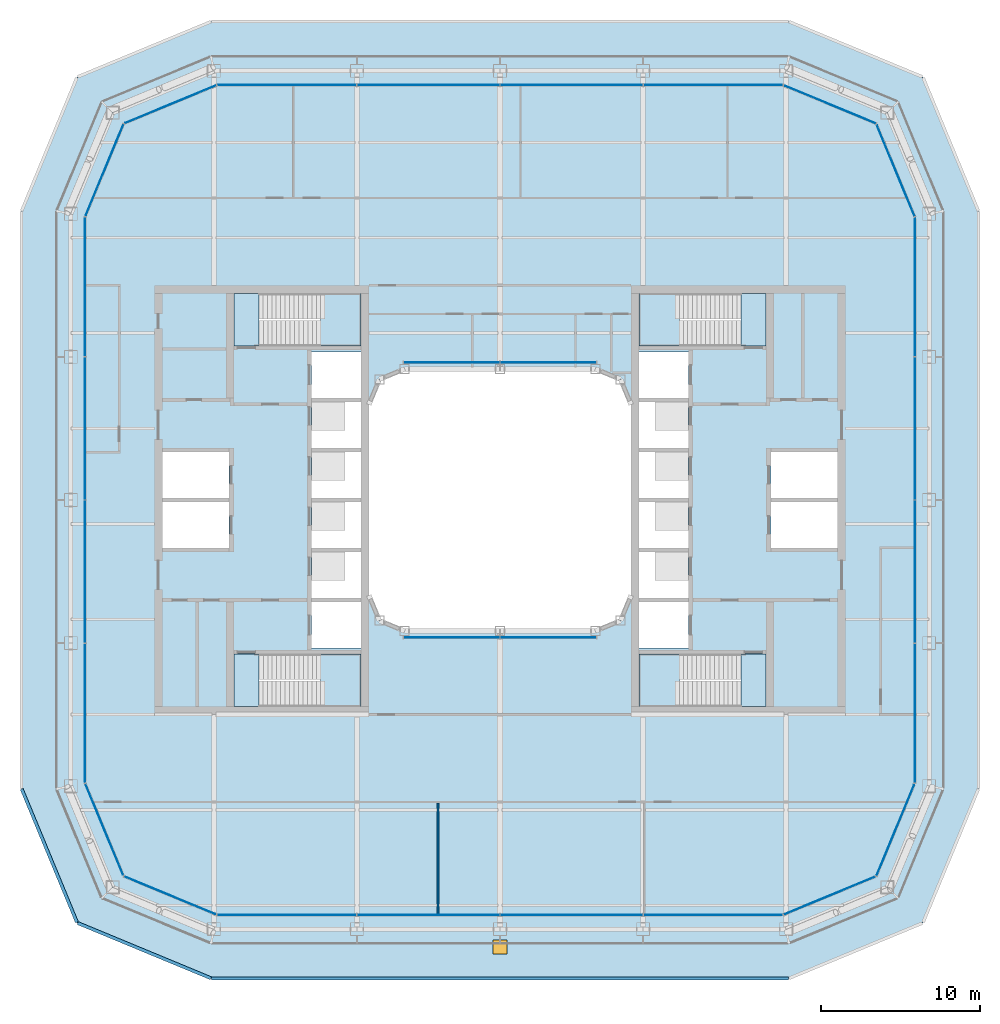
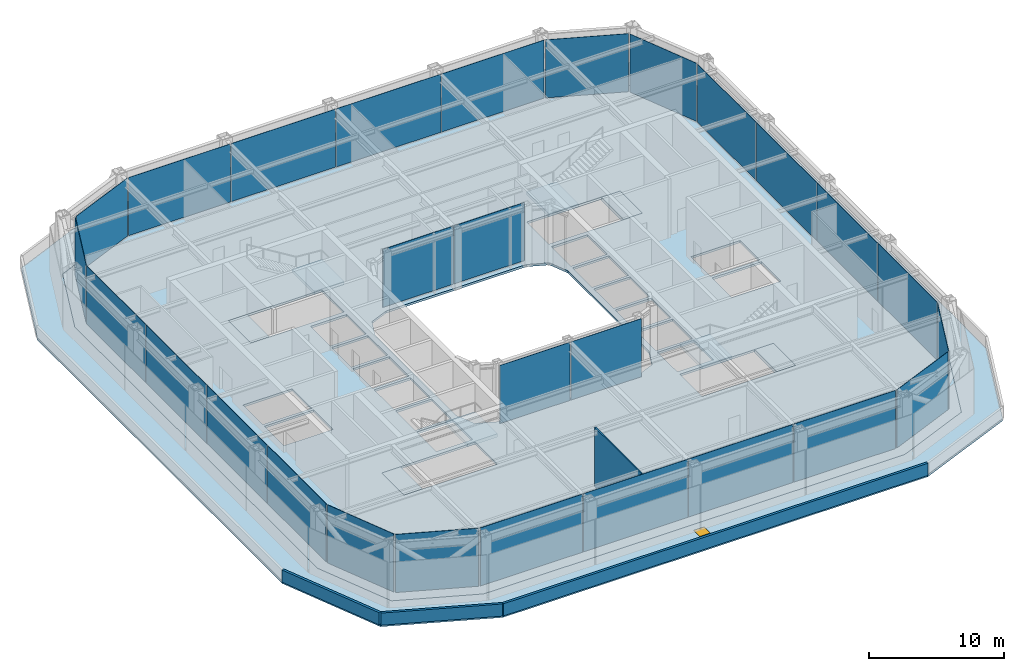
# One storey, part 10 of 19: 28 plates, 10 slabs, 4 walls, 1 window, 1 opening, 18 elements without a shape of their own.
"""IFC4 building model written with IfcOpenShell, lengths in metres."""

from ifc_helpers import new_model, si_unit, direction, frame, frame_2d, origin, origin_2d, place, context, subcontext, project, spatial, polyline, rectangle, outline, extrude, material, layer, layer_set, type_object, element, fill, aggregate, save


model = new_model("IFC4")

# Units and contexts
model_context = context("Model", 3, precision=1e-05, world=origin(), true_north=direction((0.0, 1.0)))
body_context = subcontext(model_context, "Body", "Model", "MODEL_VIEW")
ifc_project = project(units=[si_unit("LENGTHUNIT", "METRE"), si_unit("AREAUNIT", "SQUARE_METRE"), si_unit("VOLUMEUNIT", "CUBIC_METRE"), si_unit("PLANEANGLEUNIT", "RADIAN"), si_unit("MASSUNIT", "GRAM", prefix="KILO")], contexts=[model_context])

# Site, building, storey
site_placement = place(None, origin())
site = spatial("IfcSite", under=ifc_project, at=site_placement, CompositionType="ELEMENT")
building_placement = place(site_placement, origin())
building = spatial("IfcBuilding", under=site, at=building_placement, Name="Siwar Civic Tower", CompositionType="ELEMENT")
storey_placement = place(building_placement, frame((0.0, 0.0, 187.199951171875)))
storey = spatial("IfcBuildingStorey", under=building, at=storey_placement, Name="L40", CompositionType="ELEMENT", Elevation=187.199951171875)

# Stair, slabs
ifc_material_1 = material(Name="Concrete C40/50", Category="concrete")
stair_type = type_object("IfcStairType", Name="CORE-STAIR", PredefinedType="TWO_STRAIGHT_RUN_STAIR", material=ifc_material_1)
stair_1_placement = place(storey_placement, origin())
stair_1 = element("IfcStair", 1, at=stair_1_placement, inside=storey, type_object=stair_type, Name="Exit stair ST1", PredefinedType="TWO_STRAIGHT_RUN_STAIR")
ifc_material_2 = material(Name="Concrete C40/50", Category="concrete")
ifc_layer_1 = layer(ifc_material_2, 0.300048828125)
ifc_layer_set_1 = layer_set([ifc_layer_1], Name="Concrete C40/50")
slab_type_1 = type_object("IfcSlabType", Name="CORE-STAIR-LANDING", PredefinedType="LANDING", material=ifc_layer_set_1)
slab_1_placement = place(storey_placement, frame((0.0, 0.0, -0.300048828125)))
slab_1 = element("IfcSlab", 2, at=slab_1_placement, type_object=slab_type_1, Name="ST1 landing 1", PredefinedType="LANDING", context=body_context, shape_type="SweptSolid", body=[
    extrude(outline(polyline([(-15.14990234375, 13.0), (-16.75, 13.0), (-16.75, 9.699951171875), (-15.14990234375, 9.699951171875), (-15.14990234375, 13.0)])), origin(), (0.0, 0.0, 1.0), 0.300048828125),
])
slab_2_placement = place(storey_placement, frame((0.0, 0.0, 2.449951171875)))
slab_2 = element("IfcSlab", 3, at=slab_2_placement, type_object=slab_type_1, Name="ST1 landing 2", PredefinedType="LANDING", context=body_context, shape_type="SweptSolid", body=[
    extrude(outline(polyline([(-8.75, 13.0), (-11.300048828125, 13.0), (-11.300048828125, 9.699951171875), (-8.75, 9.699951171875), (-8.75, 13.0)])), origin(), (0.0, 0.0, 1.0), 0.300048828125),
])
aggregate(stair_1, [slab_1, slab_2])

stair_2_placement = place(storey_placement, origin())
stair_2 = element("IfcStair", 4, at=stair_2_placement, inside=storey, type_object=stair_type, Name="Exit stair ST2", PredefinedType="TWO_STRAIGHT_RUN_STAIR")
slab_3_placement = place(storey_placement, frame((0.0, 0.0, -0.300048828125)))
slab_3 = element("IfcSlab", 5, at=slab_3_placement, type_object=slab_type_1, Name="ST2 landing 1", PredefinedType="LANDING", context=body_context, shape_type="SweptSolid", body=[
    extrude(outline(polyline([(-15.14990234375, -9.699951171875), (-16.75, -9.699951171875), (-16.75, -13.0), (-15.14990234375, -13.0), (-15.14990234375, -9.699951171875)])), origin(), (0.0, 0.0, 1.0), 0.300048828125),
])
slab_4_placement = place(storey_placement, frame((0.0, 0.0, 2.449951171875)))
slab_4 = element("IfcSlab", 6, at=slab_4_placement, type_object=slab_type_1, Name="ST2 landing 2", PredefinedType="LANDING", context=body_context, shape_type="SweptSolid", body=[
    extrude(outline(polyline([(-8.75, -9.699951171875), (-11.300048828125, -9.699951171875), (-11.300048828125, -13.0), (-8.75, -13.0), (-8.75, -9.699951171875)])), origin(), (0.0, 0.0, 1.0), 0.300048828125),
])
aggregate(stair_2, [slab_3, slab_4])

stair_3_placement = place(storey_placement, origin())
stair_3 = element("IfcStair", 7, at=stair_3_placement, inside=storey, type_object=stair_type, Name="Exit stair ST3", PredefinedType="TWO_STRAIGHT_RUN_STAIR")
slab_5_placement = place(storey_placement, frame((0.0, 0.0, -0.300048828125)))
slab_5 = element("IfcSlab", 8, at=slab_5_placement, type_object=slab_type_1, Name="ST3 landing 1", PredefinedType="LANDING", context=body_context, shape_type="SweptSolid", body=[
    extrude(outline(polyline([(15.14990234375, 9.699951171875), (16.75, 9.699951171875), (16.75, 13.0), (15.14990234375, 13.0), (15.14990234375, 9.699951171875)])), origin(), (0.0, 0.0, 1.0), 0.300048828125),
])
slab_6_placement = place(storey_placement, frame((0.0, 0.0, 2.449951171875)))
slab_6 = element("IfcSlab", 9, at=slab_6_placement, type_object=slab_type_1, Name="ST3 landing 2", PredefinedType="LANDING", context=body_context, shape_type="SweptSolid", body=[
    extrude(outline(polyline([(8.75, 9.699951171875), (11.300048828125, 9.699951171875), (11.300048828125, 13.0), (8.75, 13.0), (8.75, 9.699951171875)])), origin(), (0.0, 0.0, 1.0), 0.300048828125),
])
aggregate(stair_3, [slab_5, slab_6])

stair_4_placement = place(storey_placement, origin())
stair_4 = element("IfcStair", 10, at=stair_4_placement, inside=storey, type_object=stair_type, Name="Exit stair ST4", PredefinedType="TWO_STRAIGHT_RUN_STAIR")
slab_7_placement = place(storey_placement, frame((0.0, 0.0, -0.300048828125)))
slab_7 = element("IfcSlab", 11, at=slab_7_placement, type_object=slab_type_1, Name="ST4 landing 1", PredefinedType="LANDING", context=body_context, shape_type="SweptSolid", body=[
    extrude(outline(polyline([(15.14990234375, -13.0), (16.75, -13.0), (16.75, -9.699951171875), (15.14990234375, -9.699951171875), (15.14990234375, -13.0)])), origin(), (0.0, 0.0, 1.0), 0.300048828125),
])
slab_8_placement = place(storey_placement, frame((0.0, 0.0, 2.449951171875)))
slab_8 = element("IfcSlab", 12, at=slab_8_placement, type_object=slab_type_1, Name="ST4 landing 2", PredefinedType="LANDING", context=body_context, shape_type="SweptSolid", body=[
    extrude(outline(polyline([(8.75, -13.0), (11.300048828125, -13.0), (11.300048828125, -9.699951171875), (8.75, -9.699951171875), (8.75, -13.0)])), origin(), (0.0, 0.0, 1.0), 0.300048828125),
])
aggregate(stair_4, [slab_7, slab_8])

# Curtain wall, plates
ifc_material_3 = material(Name="Aluminium and glass", Category="aluminium")
ifc_layer_2 = layer(ifc_material_3, 0.179931640625)
ifc_layer_set_2 = layer_set([ifc_layer_2], Name="Aluminium and glass")
curtain_wall_type_1 = type_object("IfcCurtainWallType", Name="ENV-CW-C", PredefinedType="NOTDEFINED", material=ifc_layer_set_2)
curtain_wall_1_placement = place(storey_placement, origin())
curtain_wall_1 = element("IfcCurtainWall", 13, at=curtain_wall_1_placement, inside=storey, type_object=curtain_wall_type_1, Name="Curtain wall C S", PredefinedType="NOTDEFINED")
ifc_material_4 = material(Name="Glass clear laminated", Category="glass")
ifc_layer_3 = layer(ifc_material_4, 0.031982421875)
ifc_layer_set_3 = layer_set([ifc_layer_3], Name="Glass clear laminated")
plate_type_1 = type_object("IfcPlateType", Name="ENV-PANEL-C", PredefinedType="CURTAIN_PANEL", material=ifc_layer_set_3)
plate_1_placement = place(storey_placement, frame((-13.410400390625, -26.10009765625, 0.10009765625), z_axis=(0.0, 0.0, 1.0), x_axis=(1.0, 0.0, 0.0)))
plate_1 = element("IfcPlate", 14, at=plate_1_placement, type_object=plate_type_1, Name="Curtain panel C S 1", PredefinedType="CURTAIN_PANEL", context=body_context, shape_type="SweptSolid", body=[
    extrude(rectangle(XDim=8.760986328125, YDim=0.031982421875, at=origin_2d()), origin(), (0.0, 0.0, 1.0), 5.25),
])
plate_2_placement = place(storey_placement, frame((-4.5, -26.10009765625, 0.10009765625), z_axis=(0.0, 0.0, 1.0), x_axis=(1.0, 0.0, 0.0)))
plate_2 = element("IfcPlate", 15, at=plate_2_placement, type_object=plate_type_1, Name="Curtain panel C S 2", PredefinedType="CURTAIN_PANEL", context=body_context, shape_type="SweptSolid", body=[
    extrude(rectangle(XDim=8.93994140625, YDim=0.031982421875, at=origin_2d()), origin(), (0.0, 0.0, 1.0), 5.25),
])
plate_3_placement = place(storey_placement, frame((4.5, -26.10009765625, 0.10009765625), z_axis=(0.0, 0.0, 1.0), x_axis=(1.0, 0.0, 0.0)))
plate_3 = element("IfcPlate", 16, at=plate_3_placement, type_object=plate_type_1, Name="Curtain panel C S 3", PredefinedType="CURTAIN_PANEL", context=body_context, shape_type="SweptSolid", body=[
    extrude(rectangle(XDim=8.93994140625, YDim=0.031982421875, at=origin_2d()), origin(), (0.0, 0.0, 1.0), 5.25),
])
plate_4_placement = place(storey_placement, frame((13.373046875, -26.10009765625, 0.10009765625), z_axis=(0.0, 0.0, 1.0), x_axis=(1.0, 0.0, 0.0)))
plate_4 = element("IfcPlate", 17, at=plate_4_placement, type_object=plate_type_1, Name="Curtain panel C S 4", PredefinedType="CURTAIN_PANEL", context=body_context, shape_type="SweptSolid", body=[
    extrude(rectangle(XDim=8.68603515625, YDim=0.031982421875, at=origin_2d()), origin(), (0.0, 0.0, 1.0), 5.25),
])
aggregate(curtain_wall_1, [plate_1, plate_2, plate_3, plate_4])

curtain_wall_2_placement = place(storey_placement, origin())
curtain_wall_2 = element("IfcCurtainWall", 18, at=curtain_wall_2_placement, inside=storey, type_object=curtain_wall_type_1, Name="Curtain wall C E", PredefinedType="NOTDEFINED")
plate_5_placement = place(storey_placement, frame((26.10009765625, -13.410400390625, 0.10009765625), z_axis=(0.0, 0.0, 1.0), x_axis=(0.0, 1.0, 0.0)))
plate_5 = element("IfcPlate", 19, at=plate_5_placement, type_object=plate_type_1, Name="Curtain panel C E 1", PredefinedType="CURTAIN_PANEL", context=body_context, shape_type="SweptSolid", body=[
    extrude(rectangle(XDim=8.760986328125, YDim=0.031982421875, at=origin_2d()), origin(), (0.0, 0.0, 1.0), 5.25),
])
plate_6_placement = place(storey_placement, frame((26.10009765625, -4.5, 0.10009765625), z_axis=(0.0, 0.0, 1.0), x_axis=(0.0, 1.0, 0.0)))
plate_6 = element("IfcPlate", 20, at=plate_6_placement, type_object=plate_type_1, Name="Curtain panel C E 2", PredefinedType="CURTAIN_PANEL", context=body_context, shape_type="SweptSolid", body=[
    extrude(rectangle(XDim=8.93994140625, YDim=0.031982421875, at=origin_2d()), origin(), (0.0, 0.0, 1.0), 5.25),
])
plate_7_placement = place(storey_placement, frame((26.10009765625, 4.5, 0.10009765625), z_axis=(0.0, 0.0, 1.0), x_axis=(0.0, 1.0, 0.0)))
plate_7 = element("IfcPlate", 21, at=plate_7_placement, type_object=plate_type_1, Name="Curtain panel C E 3", PredefinedType="CURTAIN_PANEL", context=body_context, shape_type="SweptSolid", body=[
    extrude(rectangle(XDim=8.93994140625, YDim=0.031982421875, at=origin_2d()), origin(), (0.0, 0.0, 1.0), 5.25),
])
plate_8_placement = place(storey_placement, frame((26.10009765625, 13.373046875, 0.10009765625), z_axis=(0.0, 0.0, 1.0), x_axis=(0.0, 1.0, 0.0)))
plate_8 = element("IfcPlate", 22, at=plate_8_placement, type_object=plate_type_1, Name="Curtain panel C E 4", PredefinedType="CURTAIN_PANEL", context=body_context, shape_type="SweptSolid", body=[
    extrude(rectangle(XDim=8.68603515625, YDim=0.031982421875, at=origin_2d()), origin(), (0.0, 0.0, 1.0), 5.25),
])
aggregate(curtain_wall_2, [plate_5, plate_6, plate_7, plate_8])

curtain_wall_3_placement = place(storey_placement, origin())
curtain_wall_3 = element("IfcCurtainWall", 23, at=curtain_wall_3_placement, inside=storey, type_object=curtain_wall_type_1, Name="Curtain wall C N", PredefinedType="NOTDEFINED")
plate_9_placement = place(storey_placement, frame((13.410400390625, 26.10009765625, 0.10009765625), z_axis=(0.0, 0.0, 1.0), x_axis=(-1.0, 0.0, 0.0)))
plate_9 = element("IfcPlate", 24, at=plate_9_placement, type_object=plate_type_1, Name="Curtain panel C N 1", PredefinedType="CURTAIN_PANEL", context=body_context, shape_type="SweptSolid", body=[
    extrude(rectangle(XDim=8.760986328125, YDim=0.031982421875, at=origin_2d()), origin(), (0.0, 0.0, 1.0), 5.25),
])
plate_10_placement = place(storey_placement, frame((4.5, 26.10009765625, 0.10009765625), z_axis=(0.0, 0.0, 1.0), x_axis=(-1.0, 0.0, 0.0)))
plate_10 = element("IfcPlate", 25, at=plate_10_placement, type_object=plate_type_1, Name="Curtain panel C N 2", PredefinedType="CURTAIN_PANEL", context=body_context, shape_type="SweptSolid", body=[
    extrude(rectangle(XDim=8.93994140625, YDim=0.031982421875, at=origin_2d()), origin(), (0.0, 0.0, 1.0), 5.25),
])
plate_11_placement = place(storey_placement, frame((-4.5, 26.10009765625, 0.10009765625), z_axis=(0.0, 0.0, 1.0), x_axis=(-1.0, 0.0, 0.0)))
plate_11 = element("IfcPlate", 26, at=plate_11_placement, type_object=plate_type_1, Name="Curtain panel C N 3", PredefinedType="CURTAIN_PANEL", context=body_context, shape_type="SweptSolid", body=[
    extrude(rectangle(XDim=8.93994140625, YDim=0.031982421875, at=origin_2d()), origin(), (0.0, 0.0, 1.0), 5.25),
])
plate_12_placement = place(storey_placement, frame((-13.373046875, 26.10009765625, 0.10009765625), z_axis=(0.0, 0.0, 1.0), x_axis=(-1.0, 0.0, 0.0)))
plate_12 = element("IfcPlate", 27, at=plate_12_placement, type_object=plate_type_1, Name="Curtain panel C N 4", PredefinedType="CURTAIN_PANEL", context=body_context, shape_type="SweptSolid", body=[
    extrude(rectangle(XDim=8.68603515625, YDim=0.031982421875, at=origin_2d()), origin(), (0.0, 0.0, 1.0), 5.25),
])
aggregate(curtain_wall_3, [plate_9, plate_10, plate_11, plate_12])

curtain_wall_4_placement = place(storey_placement, origin())
curtain_wall_4 = element("IfcCurtainWall", 28, at=curtain_wall_4_placement, inside=storey, type_object=curtain_wall_type_1, Name="Curtain wall C W", PredefinedType="NOTDEFINED")
plate_13_placement = place(storey_placement, frame((-26.10009765625, 13.410400390625, 0.10009765625), z_axis=(0.0, 0.0, 1.0), x_axis=(0.0, -1.0, 0.0)))
plate_13 = element("IfcPlate", 29, at=plate_13_placement, type_object=plate_type_1, Name="Curtain panel C W 1", PredefinedType="CURTAIN_PANEL", context=body_context, shape_type="SweptSolid", body=[
    extrude(rectangle(XDim=8.760986328125, YDim=0.031982421875, at=origin_2d()), origin(), (0.0, 0.0, 1.0), 5.25),
])
plate_14_placement = place(storey_placement, frame((-26.10009765625, 4.5, 0.10009765625), z_axis=(0.0, 0.0, 1.0), x_axis=(0.0, -1.0, 0.0)))
plate_14 = element("IfcPlate", 30, at=plate_14_placement, type_object=plate_type_1, Name="Curtain panel C W 2", PredefinedType="CURTAIN_PANEL", context=body_context, shape_type="SweptSolid", body=[
    extrude(rectangle(XDim=8.93994140625, YDim=0.031982421875, at=origin_2d()), origin(), (0.0, 0.0, 1.0), 5.25),
])
plate_15_placement = place(storey_placement, frame((-26.10009765625, -4.5, 0.10009765625), z_axis=(0.0, 0.0, 1.0), x_axis=(0.0, -1.0, 0.0)))
plate_15 = element("IfcPlate", 31, at=plate_15_placement, type_object=plate_type_1, Name="Curtain panel C W 3", PredefinedType="CURTAIN_PANEL", context=body_context, shape_type="SweptSolid", body=[
    extrude(rectangle(XDim=8.93994140625, YDim=0.031982421875, at=origin_2d()), origin(), (0.0, 0.0, 1.0), 5.25),
])
plate_16_placement = place(storey_placement, frame((-26.10009765625, -13.373046875, 0.10009765625), z_axis=(0.0, 0.0, 1.0), x_axis=(0.0, -1.0, 0.0)))
plate_16 = element("IfcPlate", 32, at=plate_16_placement, type_object=plate_type_1, Name="Curtain panel C W 4", PredefinedType="CURTAIN_PANEL", context=body_context, shape_type="SweptSolid", body=[
    extrude(rectangle(XDim=8.68603515625, YDim=0.031982421875, at=origin_2d()), origin(), (0.0, 0.0, 1.0), 5.25),
])
aggregate(curtain_wall_4, [plate_13, plate_14, plate_15, plate_16])

# Curtain wall, plate
ifc_material_5 = material(Name="Aluminium clad insulated panel", Category="aluminium")
ifc_layer_4 = layer(ifc_material_5, 0.179931640625)
ifc_layer_set_4 = layer_set([ifc_layer_4], Name="Aluminium clad insulated panel")
curtain_wall_type_2 = type_object("IfcCurtainWallType", Name="ENV-CW-CX", PredefinedType="NOTDEFINED", material=ifc_layer_set_4)
curtain_wall_5_placement = place(storey_placement, origin())
curtain_wall_5 = element("IfcCurtainWall", 33, at=curtain_wall_5_placement, inside=storey, type_object=curtain_wall_type_2, Name="Curtain wall C SE1", PredefinedType="NOTDEFINED")
ifc_material_6 = material(Name="Aluminium clad insulated panel", Category="aluminium")
ifc_layer_5 = layer(ifc_material_6, 0.031982421875)
ifc_layer_set_5 = layer_set([ifc_layer_5], Name="Aluminium clad insulated panel")
plate_type_2 = type_object("IfcPlateType", Name="ENV-PANEL-CX", PredefinedType="CURTAIN_PANEL", material=ifc_layer_set_5)
plate_17_placement = place(storey_placement, frame((20.71337890625, -24.90185546875, 0.10009765625), z_axis=(0.0, 0.0, 1.0), x_axis=(0.923879532511, 0.382683432365, 0.0)))
plate_17 = element("IfcPlate", 34, at=plate_17_placement, type_object=plate_type_2, Name="Curtain panel C SE1 1", PredefinedType="CURTAIN_PANEL", context=body_context, shape_type="SweptSolid", body=[
    extrude(rectangle(XDim=6.20166015625, YDim=0.031982421875, at=origin_2d()), origin(), (0.0, 0.0, 1.0), 5.25),
])
aggregate(curtain_wall_5, [plate_17])

curtain_wall_6_placement = place(storey_placement, origin())
curtain_wall_6 = element("IfcCurtainWall", 35, at=curtain_wall_6_placement, inside=storey, type_object=curtain_wall_type_2, Name="Curtain wall C SE2", PredefinedType="NOTDEFINED")
plate_18_placement = place(storey_placement, frame((24.873291015625, -20.78271484375, 0.10009765625), z_axis=(0.0, 0.0, 1.0), x_axis=(0.382683432365, 0.923879532511, 0.0)))
plate_18 = element("IfcPlate", 36, at=plate_18_placement, type_object=plate_type_2, Name="Curtain panel C SE2 1", PredefinedType="CURTAIN_PANEL", context=body_context, shape_type="SweptSolid", body=[
    extrude(rectangle(XDim=6.20166015625, YDim=0.031982421875, at=origin_2d()), origin(), (0.0, 0.0, 1.0), 5.25),
])
aggregate(curtain_wall_6, [plate_18])

curtain_wall_7_placement = place(storey_placement, origin())
curtain_wall_7 = element("IfcCurtainWall", 37, at=curtain_wall_7_placement, inside=storey, type_object=curtain_wall_type_2, Name="Curtain wall C NE1", PredefinedType="NOTDEFINED")
plate_19_placement = place(storey_placement, frame((24.90185546875, 20.71337890625, 0.10009765625), z_axis=(0.0, 0.0, 1.0), x_axis=(-0.382683432365, 0.923879532511, 0.0)))
plate_19 = element("IfcPlate", 38, at=plate_19_placement, type_object=plate_type_2, Name="Curtain panel C NE1 1", PredefinedType="CURTAIN_PANEL", context=body_context, shape_type="SweptSolid", body=[
    extrude(rectangle(XDim=6.20166015625, YDim=0.031982421875, at=origin_2d()), origin(), (0.0, 0.0, 1.0), 5.25),
])
aggregate(curtain_wall_7, [plate_19])

curtain_wall_8_placement = place(storey_placement, origin())
curtain_wall_8 = element("IfcCurtainWall", 39, at=curtain_wall_8_placement, inside=storey, type_object=curtain_wall_type_2, Name="Curtain wall C NE2", PredefinedType="NOTDEFINED")
plate_20_placement = place(storey_placement, frame((20.78271484375, 24.873291015625, 0.10009765625), z_axis=(0.0, 0.0, 1.0), x_axis=(-0.923879532511, 0.382683432365, 0.0)))
plate_20 = element("IfcPlate", 40, at=plate_20_placement, type_object=plate_type_2, Name="Curtain panel C NE2 1", PredefinedType="CURTAIN_PANEL", context=body_context, shape_type="SweptSolid", body=[
    extrude(rectangle(XDim=6.20166015625, YDim=0.031982421875, at=origin_2d()), origin(), (0.0, 0.0, 1.0), 5.25),
])
aggregate(curtain_wall_8, [plate_20])

curtain_wall_9_placement = place(storey_placement, origin())
curtain_wall_9 = element("IfcCurtainWall", 41, at=curtain_wall_9_placement, inside=storey, type_object=curtain_wall_type_2, Name="Curtain wall C NW1", PredefinedType="NOTDEFINED")
plate_21_placement = place(storey_placement, frame((-20.71337890625, 24.90185546875, 0.10009765625), z_axis=(0.0, 0.0, 1.0), x_axis=(-0.923879532511, -0.382683432365, 0.0)))
plate_21 = element("IfcPlate", 42, at=plate_21_placement, type_object=plate_type_2, Name="Curtain panel C NW1 1", PredefinedType="CURTAIN_PANEL", context=body_context, shape_type="SweptSolid", body=[
    extrude(rectangle(XDim=6.20166015625, YDim=0.031982421875, at=origin_2d()), origin(), (0.0, 0.0, 1.0), 5.25),
])
aggregate(curtain_wall_9, [plate_21])

curtain_wall_10_placement = place(storey_placement, origin())
curtain_wall_10 = element("IfcCurtainWall", 43, at=curtain_wall_10_placement, inside=storey, type_object=curtain_wall_type_2, Name="Curtain wall C NW2", PredefinedType="NOTDEFINED")
plate_22_placement = place(storey_placement, frame((-24.873291015625, 20.78271484375, 0.10009765625), z_axis=(0.0, 0.0, 1.0), x_axis=(-0.382683432365, -0.923879532511, 0.0)))
plate_22 = element("IfcPlate", 44, at=plate_22_placement, type_object=plate_type_2, Name="Curtain panel C NW2 1", PredefinedType="CURTAIN_PANEL", context=body_context, shape_type="SweptSolid", body=[
    extrude(rectangle(XDim=6.20166015625, YDim=0.031982421875, at=origin_2d()), origin(), (0.0, 0.0, 1.0), 5.25),
])
aggregate(curtain_wall_10, [plate_22])

curtain_wall_11_placement = place(storey_placement, origin())
curtain_wall_11 = element("IfcCurtainWall", 45, at=curtain_wall_11_placement, inside=storey, type_object=curtain_wall_type_2, Name="Curtain wall C SW1", PredefinedType="NOTDEFINED")
plate_23_placement = place(storey_placement, frame((-24.90185546875, -20.71337890625, 0.10009765625), z_axis=(0.0, 0.0, 1.0), x_axis=(0.382683432365, -0.923879532511, 0.0)))
plate_23 = element("IfcPlate", 46, at=plate_23_placement, type_object=plate_type_2, Name="Curtain panel C SW1 1", PredefinedType="CURTAIN_PANEL", context=body_context, shape_type="SweptSolid", body=[
    extrude(rectangle(XDim=6.20166015625, YDim=0.031982421875, at=origin_2d()), origin(), (0.0, 0.0, 1.0), 5.25),
])
aggregate(curtain_wall_11, [plate_23])

curtain_wall_12_placement = place(storey_placement, origin())
curtain_wall_12 = element("IfcCurtainWall", 47, at=curtain_wall_12_placement, inside=storey, type_object=curtain_wall_type_2, Name="Curtain wall C SW2", PredefinedType="NOTDEFINED")
plate_24_placement = place(storey_placement, frame((-20.78271484375, -24.873291015625, 0.10009765625), z_axis=(0.0, 0.0, 1.0), x_axis=(0.923879532511, -0.382683432365, 0.0)))
plate_24 = element("IfcPlate", 48, at=plate_24_placement, type_object=plate_type_2, Name="Curtain panel C SW2 1", PredefinedType="CURTAIN_PANEL", context=body_context, shape_type="SweptSolid", body=[
    extrude(rectangle(XDim=6.20166015625, YDim=0.031982421875, at=origin_2d()), origin(), (0.0, 0.0, 1.0), 5.25),
])
aggregate(curtain_wall_12, [plate_24])

# Curtain wall, plates
ifc_material_7 = material(Name="Aluminium and glass", Category="aluminium")
ifc_layer_6 = layer(ifc_material_7, 0.179931640625)
ifc_layer_set_6 = layer_set([ifc_layer_6], Name="Aluminium and glass")
curtain_wall_type_3 = type_object("IfcCurtainWallType", Name="ENV-CW-W", PredefinedType="NOTDEFINED", material=ifc_layer_set_6)
curtain_wall_13_placement = place(storey_placement, origin())
curtain_wall_13 = element("IfcCurtainWall", 49, at=curtain_wall_13_placement, inside=storey, type_object=curtain_wall_type_3, Name="Curtain wall W WS", PredefinedType="NOTDEFINED")
ifc_material_8 = material(Name="Glass clear laminated", Category="glass")
ifc_layer_7 = layer(ifc_material_8, 0.031982421875)
ifc_layer_set_7 = layer_set([ifc_layer_7], Name="Glass clear laminated")
plate_type_3 = type_object("IfcPlateType", Name="ENV-PANEL-W", PredefinedType="CURTAIN_PANEL", material=ifc_layer_set_7)
plate_25_placement = place(storey_placement, frame((-3.040771484375, -8.659912109375, 0.10009765625), z_axis=(0.0, 0.0, 1.0), x_axis=(1.0, 0.0, 0.0)))
plate_25 = element("IfcPlate", 50, at=plate_25_placement, type_object=plate_type_3, Name="Curtain panel W WS 1", PredefinedType="CURTAIN_PANEL", context=body_context, shape_type="SweptSolid", body=[
    extrude(rectangle(XDim=6.021484375, YDim=0.031982421875, at=origin_2d()), origin(), (0.0, 0.0, 1.0), 5.25),
])
plate_26_placement = place(storey_placement, frame((3.040771484375, -8.659912109375, 0.10009765625), z_axis=(0.0, 0.0, 1.0), x_axis=(1.0, 0.0, 0.0)))
plate_26 = element("IfcPlate", 51, at=plate_26_placement, type_object=plate_type_3, Name="Curtain panel W WS 2", PredefinedType="CURTAIN_PANEL", context=body_context, shape_type="SweptSolid", body=[
    extrude(rectangle(XDim=6.021484375, YDim=0.031982421875, at=origin_2d()), origin(), (0.0, 0.0, 1.0), 5.25),
])
aggregate(curtain_wall_13, [plate_25, plate_26])

curtain_wall_14_placement = place(storey_placement, origin())
curtain_wall_14 = element("IfcCurtainWall", 52, at=curtain_wall_14_placement, inside=storey, type_object=curtain_wall_type_3, Name="Curtain wall W WN", PredefinedType="NOTDEFINED")
plate_27_placement = place(storey_placement, frame((3.040771484375, 8.659912109375, 0.10009765625), z_axis=(0.0, 0.0, 1.0), x_axis=(-1.0, 0.0, 0.0)))
plate_27 = element("IfcPlate", 53, at=plate_27_placement, type_object=plate_type_3, Name="Curtain panel W WN 1", PredefinedType="CURTAIN_PANEL", context=body_context, shape_type="SweptSolid", body=[
    extrude(rectangle(XDim=6.021484375, YDim=0.031982421875, at=origin_2d()), origin(), (0.0, 0.0, 1.0), 5.25),
])
plate_28_placement = place(storey_placement, frame((-3.040771484375, 8.659912109375, 0.10009765625), z_axis=(0.0, 0.0, 1.0), x_axis=(-1.0, 0.0, 0.0)))
plate_28 = element("IfcPlate", 54, at=plate_28_placement, type_object=plate_type_3, Name="Curtain panel W WN 2", PredefinedType="CURTAIN_PANEL", context=body_context, shape_type="SweptSolid", body=[
    extrude(rectangle(XDim=6.021484375, YDim=0.031982421875, at=origin_2d()), origin(), (0.0, 0.0, 1.0), 5.25),
])
aggregate(curtain_wall_14, [plate_27, plate_28])

# Slab, opening, window
ifc_material_9 = material(Name="Concrete C40/50", Category="concrete")
ifc_layer_8 = layer(ifc_material_9, 0.199951171875)
ifc_layer_set_8 = layer_set([ifc_layer_8], Name="Concrete C40/50")
slab_type_2 = type_object("IfcSlabType", Name="ENV-SETBACK ROOF 200", PredefinedType="ROOF", material=ifc_layer_set_8)
slab_9_placement = place(storey_placement, frame((0.0, 0.0, -0.199951171875)))
slab_9 = element("IfcSlab", 55, at=slab_9_placement, inside=storey, type_object=slab_type_2, Name="Roof over L39 plant, bay 1", PredefinedType="ROOF", context=body_context, shape_type="SweptSolid", body=[
    extrude(outline(polyline([(-26.60546875, -26.60546875), (-18.169189453125, -30.10009765625), (18.169189453125, -30.10009765625), (26.60546875, -26.60546875), (30.10009765625, -18.169189453125), (30.10009765625, 18.169189453125), (26.60546875, 26.60546875), (18.169189453125, 30.10009765625), (-18.169189453125, 30.10009765625), (-26.60546875, 26.60546875), (-30.10009765625, 18.169189453125), (-30.10009765625, -18.169189453125), (-26.60546875, -26.60546875)]), holes=[polyline([(18.0, -27.0), (-18.0, -27.0), (-24.364013671875, -24.364013671875), (-27.0, -18.0), (-27.0, 18.0), (-24.364013671875, 24.364013671875), (-18.0, 27.0), (18.0, 27.0), (24.364013671875, 24.364013671875), (27.0, 18.0), (27.0, -18.0), (24.364013671875, -24.364013671875), (18.0, -27.0)])]), origin(), (0.0, 0.0, 1.0), 0.199951171875),
])
opening_placement = place(slab_9_placement, frame((0.0, -28.125, 0.0)))
opening = element("IfcOpeningElement", 56, at=opening_placement, cuts=slab_9, Name="Opening HT", PredefinedType="OPENING", context=body_context, shape_type="SweptSolid", body=[
    extrude(rectangle(XDim=0.89990234375, YDim=0.89990234375, at=origin_2d()), origin(), (0.0, 0.0, 1.0), 0.199951171875),
])
ifc_material_10 = material(Name="Aluminium and glass", Category="aluminium")
window_type = type_object("IfcWindowType", Name="ENV-HATCH", PartitioningType="SINGLE_PANEL", PredefinedType="SKYLIGHT", material=ifc_material_10)
window_placement = place(opening_placement, frame((0.0, 0.0, 0.14990234375)))
window = element("IfcWindow", 57, at=window_placement, inside=storey, type_object=window_type, Name="Roof hatch L39 1", OverallHeight=0.89990234375, OverallWidth=0.89990234375, PartitioningType="SINGLE_PANEL", PredefinedType="SKYLIGHT", context=body_context, shape_type="SweptSolid", body=[
    extrude(rectangle(XDim=0.89990234375, YDim=0.89990234375, at=origin_2d()), origin(), (0.0, 0.0, 1.0), 0.050048828125),
])
fill(opening, window)

# Slab
ifc_material_11 = material(Name="Concrete C40/50", Category="concrete")
ifc_layer_9 = layer(ifc_material_11, 0.199951171875)
ifc_layer_set_9 = layer_set([ifc_layer_9], Name="Concrete C40/50")
slab_type_3 = type_object("IfcSlabType", Name="STR-FLOOR-DECK-200", PredefinedType="FLOOR", material=ifc_layer_set_9)
slab_10_placement = place(storey_placement, frame((0.0, 0.0, -0.199951171875)))
element("IfcSlab", 58, at=slab_10_placement, inside=storey, type_object=slab_type_3, Name="L40/slab/1", PredefinedType="FLOOR", context=body_context, shape_type="SweptSolid", body=[
    extrude(outline(polyline([(-18.0, -27.0), (18.0, -27.0), (24.364013671875, -24.364013671875), (27.0, -18.0), (27.0, 18.0), (24.364013671875, 24.364013671875), (18.0, 27.0), (-18.0, 27.0), (-24.364013671875, 24.364013671875), (-27.0, 18.0), (-27.0, -18.0), (-24.364013671875, -24.364013671875), (-18.0, -27.0)]), holes=[polyline([(21.25, 3.02490234375), (21.25, 0.125), (17.050048828125, 0.125), (17.050048828125, 3.02490234375), (21.25, 3.02490234375)]), polyline([(17.050048828125, -0.125), (21.25, -0.125), (21.25, -3.02490234375), (17.050048828125, -3.02490234375), (17.050048828125, -0.125)]), polyline([(16.75, 13.0), (16.75, 9.699951171875), (8.75, 9.699951171875), (8.75, 13.0), (16.75, 13.0)]), polyline([(8.75, -9.699951171875), (16.75, -9.699951171875), (16.75, -13.0), (8.75, -13.0), (8.75, -9.699951171875)]), polyline([(11.85009765625, 9.324951171875), (11.85009765625, 6.425048828125), (8.75, 6.425048828125), (8.75, 9.324951171875), (11.85009765625, 9.324951171875)]), polyline([(11.85009765625, 3.02490234375), (11.85009765625, 0.125), (8.75, 0.125), (8.75, 3.02490234375), (11.85009765625, 3.02490234375)]), polyline([(11.85009765625, -0.125), (11.85009765625, -3.02490234375), (8.75, -3.02490234375), (8.75, -0.125), (11.85009765625, -0.125)]), polyline([(11.85009765625, -3.27490234375), (11.85009765625, -6.175048828125), (8.75, -6.175048828125), (8.75, -3.27490234375), (11.85009765625, -3.27490234375)]), polyline([(8.75, 6.175048828125), (11.85009765625, 6.175048828125), (11.85009765625, 3.27490234375), (8.75, 3.27490234375), (8.75, 6.175048828125)]), polyline([(8.75, -6.425048828125), (11.85009765625, -6.425048828125), (11.85009765625, -9.324951171875), (8.75, -9.324951171875), (8.75, -6.425048828125)]), polyline([(-6.0, 8.25), (6.0, 8.25), (7.591064453125, 7.591064453125), (8.25, 6.0), (8.25, -6.0), (7.591064453125, -7.591064453125), (6.0, -8.25), (-6.0, -8.25), (-7.591064453125, -7.591064453125), (-8.25, -6.0), (-8.25, 6.0), (-7.591064453125, 7.591064453125), (-6.0, 8.25)]), polyline([(-8.75, 9.699951171875), (-16.75, 9.699951171875), (-16.75, 13.0), (-8.75, 13.0), (-8.75, 9.699951171875)]), polyline([(-8.75, 0.125), (-11.85009765625, 0.125), (-11.85009765625, 3.02490234375), (-8.75, 3.02490234375), (-8.75, 0.125)]), polyline([(-8.75, -6.175048828125), (-11.85009765625, -6.175048828125), (-11.85009765625, -3.27490234375), (-8.75, -3.27490234375), (-8.75, -6.175048828125)]), polyline([(-8.75, -9.324951171875), (-11.85009765625, -9.324951171875), (-11.85009765625, -6.425048828125), (-8.75, -6.425048828125), (-8.75, -9.324951171875)]), polyline([(-8.75, -13.0), (-16.75, -13.0), (-16.75, -9.699951171875), (-8.75, -9.699951171875), (-8.75, -13.0)]), polyline([(-11.85009765625, 6.425048828125), (-11.85009765625, 9.324951171875), (-8.75, 9.324951171875), (-8.75, 6.425048828125), (-11.85009765625, 6.425048828125)]), polyline([(-11.85009765625, 3.27490234375), (-11.85009765625, 6.175048828125), (-8.75, 6.175048828125), (-8.75, 3.27490234375), (-11.85009765625, 3.27490234375)]), polyline([(-11.85009765625, -3.02490234375), (-11.85009765625, -0.125), (-8.75, -0.125), (-8.75, -3.02490234375), (-11.85009765625, -3.02490234375)]), polyline([(-21.25, -3.02490234375), (-21.25, -0.125), (-17.050048828125, -0.125), (-17.050048828125, -3.02490234375), (-21.25, -3.02490234375)]), polyline([(-17.050048828125, 0.125), (-21.25, 0.125), (-21.25, 3.02490234375), (-17.050048828125, 3.02490234375), (-17.050048828125, 0.125)])]), origin(), (0.0, 0.0, 1.0), 0.199951171875),
])

# Walls
ifc_material_12 = material(Name="Aluminium clad insulated panel", Category="aluminium")
ifc_layer_10 = layer(ifc_material_12, 0.199951171875)
ifc_layer_set_10 = layer_set([ifc_layer_10], Name="Aluminium clad insulated panel")
wall_type_1 = type_object("IfcWallType", Name="ENV-PARAPET", PredefinedType="PARAPET", material=ifc_layer_set_10)
wall_1_placement = place(storey_placement, frame((-26.567138671875, -26.621337890625, 0.0), z_axis=(0.0, 0.0, 1.0), x_axis=(0.923880028342, -0.382682235321, 0.0)))
element("IfcWall", 59, at=wall_1_placement, inside=storey, type_object=wall_type_1, Name="Parapet L39 roof 1.1", PredefinedType="PARAPET", context=body_context, shape_type="SweptSolid", body=[
    extrude(rectangle(XDim=9.070068359375, YDim=0.199951171875, at=frame_2d((4.53515625, 0.0))), origin(), (0.0, 0.0, 1.0), 1.10009765625),
])
wall_2_placement = place(storey_placement, frame((-18.149169921875, -30.10009765625, 0.0), z_axis=(0.0, 0.0, 1.0), x_axis=(1.0, 0.0, 0.0)))
element("IfcWall", 60, at=wall_2_placement, inside=storey, type_object=wall_type_1, Name="Parapet L39 roof 1.2", PredefinedType="PARAPET", context=body_context, shape_type="SweptSolid", body=[
    extrude(rectangle(XDim=36.29833984375, YDim=0.199951171875, at=frame_2d((18.149169921875, 0.0))), origin(), (0.0, 0.0, 1.0), 1.10009765625),
])
wall_3_placement = place(storey_placement, frame((-30.09228515625, -18.1875, 0.0), z_axis=(0.0, 0.0, 1.0), x_axis=(0.382682235321, -0.923880028342, 0.0)))
element("IfcWall", 61, at=wall_3_placement, inside=storey, type_object=wall_type_1, Name="Parapet L39 roof 1.12", PredefinedType="PARAPET", context=body_context, shape_type="SweptSolid", body=[
    extrude(rectangle(XDim=9.070068359375, YDim=0.199951171875, at=frame_2d((4.53515625, 0.0))), origin(), (0.0, 0.0, 1.0), 1.10009765625),
])
ifc_material_13 = material(Name="Gypsum board on steel studs", Category="steel")
ifc_layer_11 = layer(ifc_material_13, 0.10009765625)
ifc_layer_set_11 = layer_set([ifc_layer_11], Name="Gypsum board on steel studs")
wall_type_2 = type_object("IfcWallType", Name="PARTITION 100 GYPSUM", PredefinedType="PARTITIONING", material=ifc_layer_set_11)
wall_4_placement = place(storey_placement, frame((-3.89990234375, -26.010009765625, 0.0), z_axis=(0.0, 0.0, 1.0), x_axis=(0.0, 1.0, 0.0)))
element("IfcWall", 62, at=wall_4_placement, inside=storey, type_object=wall_type_2, Name="L40/wall/P14", PredefinedType="PARTITIONING", context=body_context, shape_type="SweptSolid", body=[
    extrude(rectangle(XDim=6.93505859375, YDim=0.10009765625, at=frame_2d((3.467529296875, 0.0))), origin(), (0.0, 0.0, 1.0), 5.35009765625),
])

save(model, "model.ifc")
